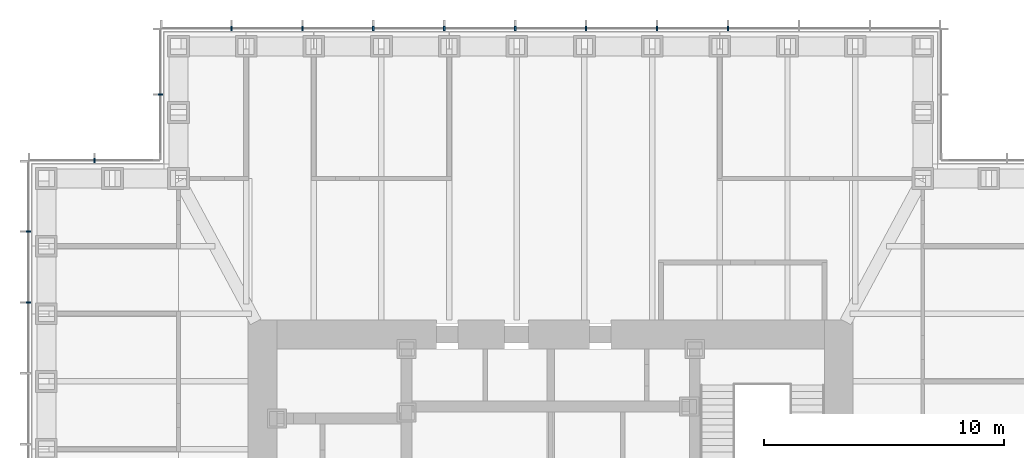
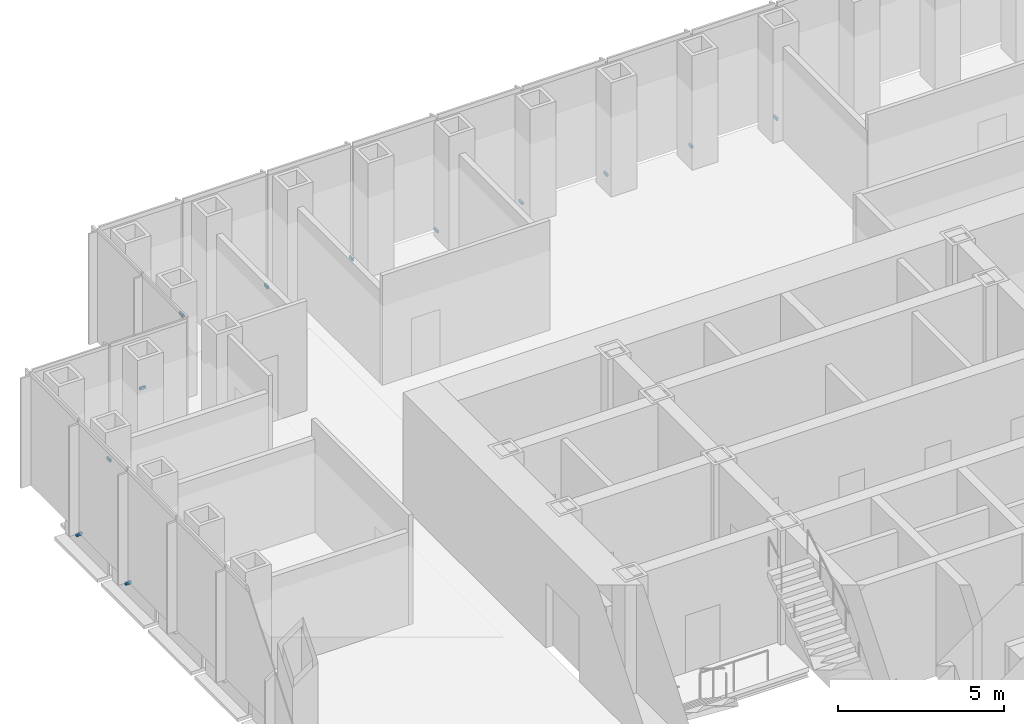
# One storey, part 14 of 16: 12 discrete accessories.
"""IFC4 building model written with IfcOpenShell, lengths in metres."""

from ifc_helpers import new_model, si_unit, direction, frame, origin, origin_2d, place, context, subcontext, project, spatial, rectangle, extrude, element, save


model = new_model("IFC4")

# Units and contexts
model_context = context("Model", 3, precision=1e-05, world=origin(), true_north=direction((0.0, 1.0)))
body_context = subcontext(model_context, "Body", "Model", "MODEL_VIEW")
ifc_project = project(units=[si_unit("LENGTHUNIT", "METRE"), si_unit("AREAUNIT", "SQUARE_METRE"), si_unit("VOLUMEUNIT", "CUBIC_METRE"), si_unit("PLANEANGLEUNIT", "RADIAN"), si_unit("MASSUNIT", "GRAM", prefix="KILO")], contexts=[model_context])

# Site, building, storey
site_placement = place(None, origin())
site = spatial("IfcSite", under=ifc_project, at=site_placement, CompositionType="ELEMENT")
building_placement = place(site_placement, origin())
building = spatial("IfcBuilding", under=site, at=building_placement, Name="Daluyong Arena Tower", CompositionType="ELEMENT")
storey_placement = place(building_placement, frame((0.0, 0.0, 206.5)))
storey = spatial("IfcBuildingStorey", under=building, at=storey_placement, Name="L46", CompositionType="ELEMENT", Elevation=206.5)

# Discrete accessories
for number, where, z_axis, x_axis, name in (
    (1, (63.386474609375, 101.75, -0.10009765625), (0.0, 0.0, 1.0), (-1.0, 0.0, 0.0), "curtain wall L46 N anchor bracket 4"),
    (2, (60.431884765625, 101.75, -0.10009765625), (0.0, 0.0, 1.0), (-1.0, 0.0, 0.0), "curtain wall L46 N anchor bracket 5"),
    (3, (57.477294921875, 101.75, -0.10009765625), (0.0, 0.0, 1.0), (-1.0, 0.0, 0.0), "curtain wall L46 N anchor bracket 6"),
    (4, (54.522705078125, 101.75, -0.10009765625), (0.0, 0.0, 1.0), (-1.0, 0.0, 0.0), "curtain wall L46 N anchor bracket 7"),
    (5, (51.568115234375, 101.75, -0.10009765625), (0.0, 0.0, 1.0), (-1.0, 0.0, 0.0), "curtain wall L46 N anchor bracket 8"),
    (6, (48.613525390625, 101.75, -0.10009765625), (0.0, 0.0, 1.0), (-1.0, 0.0, 0.0), "curtain wall L46 N anchor bracket 9"),
    (7, (45.6591796875, 101.75, -0.10009765625), (0.0, 0.0, 1.0), (-1.0, 0.0, 0.0), "curtain wall L46 N anchor bracket 10"),
    (8, (42.70458984375, 101.75, -0.10009765625), (0.0, 0.0, 1.0), (-1.0, 0.0, 0.0), "curtain wall L46 N anchor bracket 11"),
):
    element("IfcDiscreteAccessory", number, at=place(storey_placement, frame(where, z_axis=z_axis, x_axis=x_axis)), inside=storey, Name=name, PredefinedType="BRACKET", context=body_context, shape_type="SweptSolid", body=[
        extrude(rectangle(XDim=0.070068359375, YDim=0.199951171875, at=origin_2d()), origin(), (0.0, 0.0, 1.0), 0.10009765625),
    ])
for number, where, z_axis, x_axis, name in (
    (9, (39.75, 99.0, -0.10009765625), (0.0, 0.0, 1.0), (0.0, -1.0, 0.0), "curtain wall L46 NW-W anchor bracket 2"),
    (10, (37.0, 96.25, -0.10009765625), (0.0, 0.0, 1.0), (-1.0, 0.0, 0.0), "curtain wall L46 NW-N anchor bracket 2"),
):
    element("IfcDiscreteAccessory", number, at=place(storey_placement, frame(where, z_axis=z_axis, x_axis=x_axis)), inside=storey, Name=name, PredefinedType="BRACKET", context=body_context, shape_type="SweptSolid", body=[
        extrude(rectangle(XDim=0.06005859375, YDim=0.199951171875, at=origin_2d()), origin(), (0.0, 0.0, 1.0), 0.10009765625),
    ])
for number, where, z_axis, x_axis, name in (
    (11, (34.25, 93.29541015625, -0.10009765625), (0.0, 0.0, 1.0), (0.0, -1.0, 0.0), "curtain wall L46 W anchor bracket 2"),
    (12, (34.25, 90.3408203125, -0.10009765625), (0.0, 0.0, 1.0), (0.0, -1.0, 0.0), "curtain wall L46 W anchor bracket 3"),
):
    element("IfcDiscreteAccessory", number, at=place(storey_placement, frame(where, z_axis=z_axis, x_axis=x_axis)), inside=storey, Name=name, PredefinedType="BRACKET", context=body_context, shape_type="SweptSolid", body=[
        extrude(rectangle(XDim=0.070068359375, YDim=0.199951171875, at=origin_2d()), origin(), (0.0, 0.0, 1.0), 0.10009765625),
    ])

save(model, "model.ifc")
